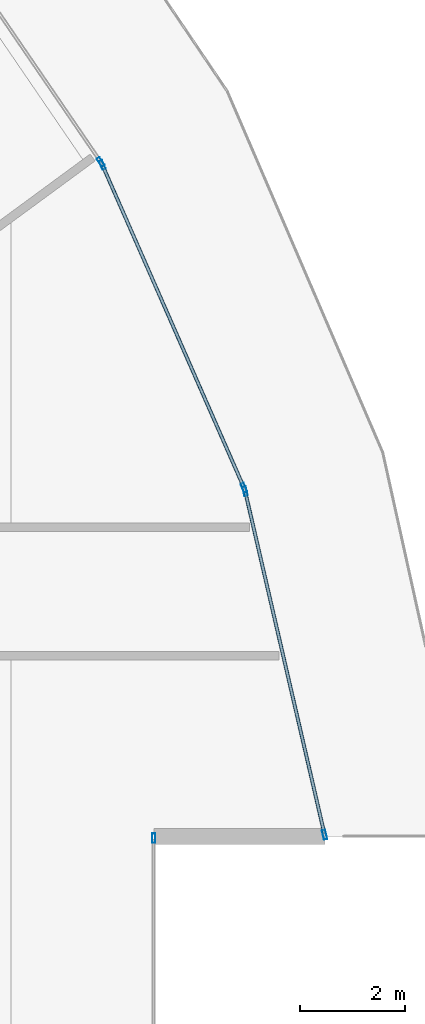
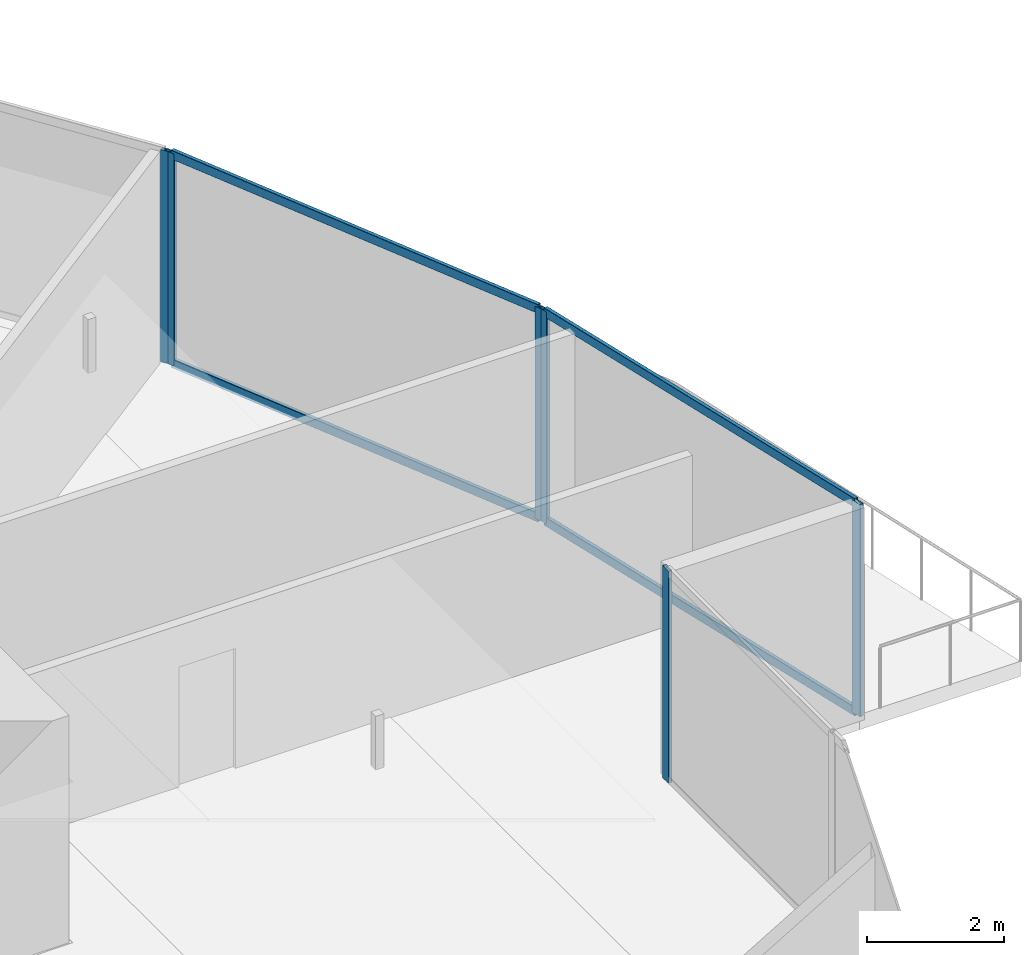
# One storey, part 19 of 38: 10 members, 4 elements without a shape of their own.
"""IFC4 building model written with IfcOpenShell, lengths in metres."""

from ifc_helpers import new_model, si_unit, direction, frame, origin, origin_2d, place, context, subcontext, project, spatial, hollow_rectangle, extrude, material, layer, layer_set, material_profile, profile_set, type_object, element, aggregate, save


model = new_model("IFC4")

# Units and contexts
model_context = context("Model", 3, precision=1e-05, world=origin(), true_north=direction((0.0, 1.0)))
body_context = subcontext(model_context, "Body", "Model", "MODEL_VIEW")
ifc_project = project(units=[si_unit("LENGTHUNIT", "METRE"), si_unit("AREAUNIT", "SQUARE_METRE"), si_unit("VOLUMEUNIT", "CUBIC_METRE"), si_unit("PLANEANGLEUNIT", "RADIAN"), si_unit("MASSUNIT", "GRAM", prefix="KILO")], contexts=[model_context])

# Site, building, storey
site_placement = place(None, origin())
site = spatial("IfcSite", under=ifc_project, at=site_placement, CompositionType="ELEMENT")
building_placement = place(site_placement, origin())
building = spatial("IfcBuilding", under=site, at=building_placement, Name="Qorvath Tower", CompositionType="ELEMENT")
storey_placement = place(building_placement, frame((0.0, 0.0, 134.10009765625)))
storey = spatial("IfcBuildingStorey", under=building, at=storey_placement, Name="L30", CompositionType="ELEMENT", Elevation=134.10009765625)

# Curtain wall, member
ifc_material_1 = material(Name="Anodised aluminium and triple low-E glass", Category="aluminium")
ifc_layer = layer(ifc_material_1, 0.179931640625)
ifc_layer_set = layer_set([ifc_layer], Name="CW-SYS-3")
curtain_wall_type = type_object("IfcCurtainWallType", Name="CW-SYS-3", PredefinedType="NOTDEFINED", material=ifc_layer_set)
curtain_wall_1_placement = place(storey_placement, origin())
curtain_wall_1 = element("IfcCurtainWall", 1, at=curtain_wall_1_placement, inside=storey, type_object=curtain_wall_type, Name="Curtain Wall CW-3 CW-T-L30-9.1", PredefinedType="NOTDEFINED")
ifc_material_2 = material(Name="Anodised aluminium 6063-T6", Category="aluminium")
ifc_material_profile_1 = material_profile(ifc_material_2, hollow_rectangle(XDim=0.06494140625, YDim=0.179931640625, WallThickness=0.00341796875, InnerFilletRadius=0.00341796875, OuterFilletRadius=0.007080078125, at=origin_2d()), Name="CWM 180x65")
ifc_profile_set_1 = profile_set([ifc_material_profile_1], Name="Anodised aluminium 6063-T6")
member_type_1 = type_object("IfcMemberType", Name="CWM-180", PredefinedType="MULLION", material=ifc_profile_set_1)
member_1_placement = place(storey_placement, frame((0.86328125, 4.84912109375, 0.0), z_axis=(0.0, 0.0, 1.0), x_axis=(-1.0, 0.0, 0.0)))
member_1 = element("IfcMember", 2, at=member_1_placement, type_object=member_type_1, Name="CW-3 mullion 3", PredefinedType="MULLION", context=body_context, shape_type="SweptSolid", body=[
    extrude(hollow_rectangle(XDim=0.06494140625, YDim=0.179931640625, WallThickness=0.00341796875, InnerFilletRadius=0.00341796875, OuterFilletRadius=0.007080078125, at=origin_2d()), origin(), (0.0, 0.0, 1.0), 3.77978515625),
])
aggregate(curtain_wall_1, [member_1])

# Curtain wall, members
curtain_wall_2_placement = place(storey_placement, origin())
curtain_wall_2 = element("IfcCurtainWall", 3, at=curtain_wall_2_placement, inside=storey, type_object=curtain_wall_type, Name="Curtain Wall CW-3 CW-T-L30-11.1", PredefinedType="NOTDEFINED")
member_2_placement = place(storey_placement, frame((4.1103515625, 4.913330078125, 0.0), z_axis=(0.0, 0.0, 1.0), x_axis=(-0.974262314004, -0.225417265338, 0.0)))
member_2 = element("IfcMember", 4, at=member_2_placement, type_object=member_type_1, Name="CW-3 mullion 1", PredefinedType="MULLION", context=body_context, shape_type="SweptSolid", body=[
    extrude(hollow_rectangle(XDim=0.06494140625, YDim=0.179931640625, WallThickness=0.00341796875, InnerFilletRadius=0.00341796875, OuterFilletRadius=0.007080078125, at=origin_2d()), origin(), (0.0, 0.0, 1.0), 3.77978515625),
])
member_3_placement = place(storey_placement, frame((2.59912109375, 11.44482421875, 0.0), z_axis=(0.0, 0.0, 1.0), x_axis=(-0.974262314004, -0.225417265338, 0.0)))
member_3 = element("IfcMember", 5, at=member_3_placement, type_object=member_type_1, Name="CW-3 mullion 2", PredefinedType="MULLION", context=body_context, shape_type="SweptSolid", body=[
    extrude(hollow_rectangle(XDim=0.06494140625, YDim=0.179931640625, WallThickness=0.00341796875, InnerFilletRadius=0.00341796875, OuterFilletRadius=0.007080078125, at=origin_2d()), origin(), (0.0, 0.0, 1.0), 3.77978515625),
])

curtain_wall_3_placement = place(storey_placement, origin())
curtain_wall_3 = element("IfcCurtainWall", 6, at=curtain_wall_3_placement, inside=storey, type_object=curtain_wall_type, Name="Curtain Wall CW-3 CW-T-L30-12.1", PredefinedType="NOTDEFINED")
member_4_placement = place(storey_placement, frame((2.578857421875, 11.50634765625, 0.0), z_axis=(0.0, 0.0, 1.0), x_axis=(-0.915735385605, -0.401781910433, 0.0)))
member_4 = element("IfcMember", 7, at=member_4_placement, type_object=member_type_1, Name="CW-3 mullion 1", PredefinedType="MULLION", context=body_context, shape_type="SweptSolid", body=[
    extrude(hollow_rectangle(XDim=0.06494140625, YDim=0.179931640625, WallThickness=0.00341796875, InnerFilletRadius=0.00341796875, OuterFilletRadius=0.007080078125, at=origin_2d()), origin(), (0.0, 0.0, 1.0), 3.77978515625),
])
member_5_placement = place(storey_placement, frame((-0.11474609375, 17.6455078125, 0.0), z_axis=(0.0, 0.0, 1.0), x_axis=(-0.915735385605, -0.401781910433, 0.0)))
member_5 = element("IfcMember", 8, at=member_5_placement, type_object=member_type_1, Name="CW-3 mullion 2", PredefinedType="MULLION", context=body_context, shape_type="SweptSolid", body=[
    extrude(hollow_rectangle(XDim=0.06494140625, YDim=0.179931640625, WallThickness=0.00341796875, InnerFilletRadius=0.00341796875, OuterFilletRadius=0.007080078125, at=origin_2d()), origin(), (0.0, 0.0, 1.0), 3.77978515625),
])

# Curtain wall, member
curtain_wall_4_placement = place(storey_placement, origin())
curtain_wall_4 = element("IfcCurtainWall", 9, at=curtain_wall_4_placement, inside=storey, type_object=curtain_wall_type, Name="Curtain Wall CW-3 CW-T-L30-13.1", PredefinedType="NOTDEFINED")
member_6_placement = place(storey_placement, frame((-0.146240234375, 17.7021484375, 0.0), z_axis=(0.0, 0.0, 1.0), x_axis=(-0.825622735214, -0.56422256167, 0.0)))
member_6 = element("IfcMember", 10, at=member_6_placement, type_object=member_type_1, Name="CW-3 mullion 1", PredefinedType="MULLION", context=body_context, shape_type="SweptSolid", body=[
    extrude(hollow_rectangle(XDim=0.06494140625, YDim=0.179931640625, WallThickness=0.00341796875, InnerFilletRadius=0.00341796875, OuterFilletRadius=0.007080078125, at=origin_2d()), origin(), (0.0, 0.0, 1.0), 3.77978515625),
])
aggregate(curtain_wall_4, [member_6])

# Member
ifc_material_3 = material(Name="Anodised aluminium 6063-T6", Category="aluminium")
ifc_material_profile_2 = material_profile(ifc_material_3, hollow_rectangle(XDim=0.06494140625, YDim=0.159912109375, WallThickness=0.00341796875, InnerFilletRadius=0.00341796875, OuterFilletRadius=0.007080078125, at=origin_2d()), Name="CWT 160x65")
ifc_profile_set_2 = profile_set([ifc_material_profile_2], Name="Anodised aluminium 6063-T6")
member_type_2 = type_object("IfcMemberType", Name="CWT-160", PredefinedType="USERDEFINED", material=ifc_profile_set_2)
member_7_placement = place(storey_placement, frame((4.10302734375, 4.94482421875, 0.032470703125), z_axis=(-0.225410012151, 0.974263992161, 0.0), x_axis=(-0.974263992161, -0.225410012151, 0.0)))
member_7 = element("IfcMember", 11, at=member_7_placement, type_object=member_type_2, Name="CW-3 transom 1.1", ObjectType="TRANSOM", PredefinedType="USERDEFINED", context=body_context, shape_type="SweptSolid", body=[
    extrude(hollow_rectangle(XDim=0.06494140625, YDim=0.159912109375, WallThickness=0.00341796875, InnerFilletRadius=0.00341796875, OuterFilletRadius=0.007080078125, at=origin_2d()), origin(), (0.0, 0.0, 1.0), 6.639404296875),
])

member_8_placement = place(storey_placement, frame((4.10302734375, 4.94482421875, 3.747314453125), z_axis=(-0.225410012151, 0.974263992161, 0.0), x_axis=(-0.974263992161, -0.225410012151, 0.0)))
member_8 = element("IfcMember", 12, at=member_8_placement, type_object=member_type_2, Name="CW-3 transom 1.2", ObjectType="TRANSOM", PredefinedType="USERDEFINED", context=body_context, shape_type="SweptSolid", body=[
    extrude(hollow_rectangle(XDim=0.06494140625, YDim=0.159912109375, WallThickness=0.00341796875, InnerFilletRadius=0.00341796875, OuterFilletRadius=0.007080078125, at=origin_2d()), origin(), (0.0, 0.0, 1.0), 6.639404296875),
])

aggregate(curtain_wall_2, [member_2, member_3, member_7, member_8])

member_9_placement = place(storey_placement, frame((2.565673828125, 11.5361328125, 0.032470703125), z_axis=(-0.401787018537, 0.91573314439, 0.0), x_axis=(-0.91573314439, -0.401787018537, 0.0)))
member_9 = element("IfcMember", 13, at=member_9_placement, type_object=member_type_2, Name="CW-3 transom 1.1", ObjectType="TRANSOM", PredefinedType="USERDEFINED", context=body_context, shape_type="SweptSolid", body=[
    extrude(hollow_rectangle(XDim=0.06494140625, YDim=0.159912109375, WallThickness=0.00341796875, InnerFilletRadius=0.00341796875, OuterFilletRadius=0.007080078125, at=origin_2d()), origin(), (0.0, 0.0, 1.0), 6.63916015625),
])

member_10_placement = place(storey_placement, frame((2.565673828125, 11.5361328125, 3.747314453125), z_axis=(-0.401787018537, 0.91573314439, 0.0), x_axis=(-0.91573314439, -0.401787018537, 0.0)))
member_10 = element("IfcMember", 14, at=member_10_placement, type_object=member_type_2, Name="CW-3 transom 1.2", ObjectType="TRANSOM", PredefinedType="USERDEFINED", context=body_context, shape_type="SweptSolid", body=[
    extrude(hollow_rectangle(XDim=0.06494140625, YDim=0.159912109375, WallThickness=0.00341796875, InnerFilletRadius=0.00341796875, OuterFilletRadius=0.007080078125, at=origin_2d()), origin(), (0.0, 0.0, 1.0), 6.63916015625),
])

aggregate(curtain_wall_3, [member_4, member_5, member_9, member_10])

save(model, "model.ifc")
